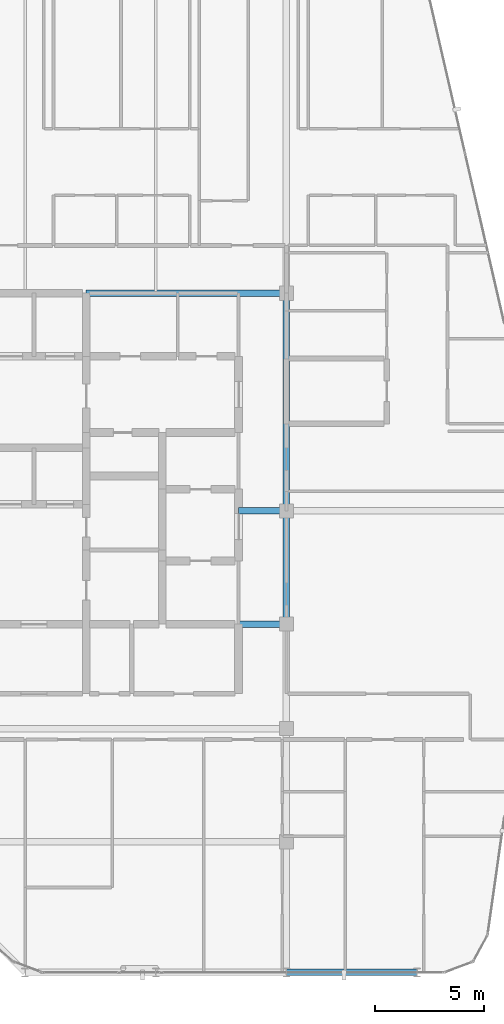
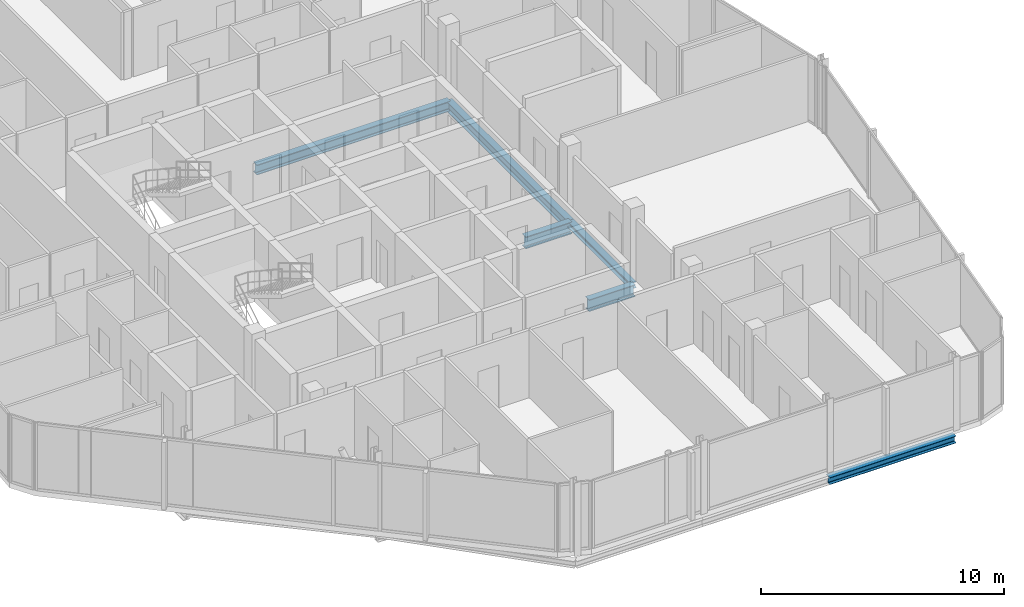
# One storey, part 11 of 28: 6 beams.
"""IFC4 building model written with IfcOpenShell, lengths in metres."""

import ifcopenshell
import ifcopenshell.guid

model = None  # the IFC model being written
_history = None  # IfcOwnerHistory: only IFC2X3 demands one
_inside = {}  # id of a spatial element -> (the spatial element, [elements in it])
_under = {}  # id of a project, library or spatial element -> (it, [spatial elements below it])
_declared = {}  # id of a project -> (the project, [libraries it declares])
_typed = {}  # id of a type object -> (the type object, [elements of that type])
_made_of = {}  # id of a material, layer set ... -> (it, [elements and type objects made of it])


def new_model(schema):
    """Start an empty IFC model of exactly this schema.

    Asked for "IFC4X3", IfcOpenShell would pick the latest addendum, in which some entities
    have other attributes; the version numbers below select the first issue.
    IFC2X3 requires an IfcOwnerHistory on every rooted entity: one is made here for all.
    """
    global model, _history
    if schema == "IFC4X3":
        model = ifcopenshell.file(schema_version=(4, 3, 0, 0))
    else:
        model = ifcopenshell.file(schema=schema)
    _inside.clear()
    _under.clear()
    _declared.clear()
    _typed.clear()
    _made_of.clear()
    _history = None
    if model.schema == "IFC2X3":
        org = make("IfcOrganization", Name="unknown")
        user = make(
            "IfcPersonAndOrganization",
            ThePerson=make("IfcPerson", FamilyName="unknown"),
            TheOrganization=org,
        )
        app = make(
            "IfcApplication",
            ApplicationDeveloper=org,
            Version="unknown",
            ApplicationFullName="unknown",
            ApplicationIdentifier="unknown",
        )
        _history = make(
            "IfcOwnerHistory",
            OwningUser=user,
            OwningApplication=app,
            ChangeAction="ADDED",
            CreationDate=0,
        )
    return model


def make(cls, **values):
    """One entity of the class cls with the attributes given. An attribute that is None is left unset."""
    return model.create_entity(
        cls, **{name: value for name, value in values.items() if value is not None}
    )


def rooted(cls, **values):
    """An entity with a GlobalId (a new one), such as an element, a storey or a relation."""
    return make(cls, GlobalId=ifcopenshell.guid.new(), OwnerHistory=_history, **values)


def si_unit(unit_type, name, prefix=None):
    """IfcSIUnit, for example si_unit("LENGTHUNIT", "METRE", prefix="MILLI")."""
    return make("IfcSIUnit", UnitType=unit_type, Prefix=prefix, Name=name)


def assignment(units):
    """IfcUnitAssignment: the units of a project."""
    return None if units is None else make("IfcUnitAssignment", Units=units)


def point(xyz):
    """IfcCartesianPoint."""
    return None if xyz is None else make("IfcCartesianPoint", Coordinates=xyz)


def direction(xyz):
    """IfcDirection."""
    return None if xyz is None else make("IfcDirection", DirectionRatios=xyz)


def frame(location, z_axis=None, x_axis=None):
    """IfcAxis2Placement3D, a coordinate frame: its origin and axes. An axis left out is left unset."""
    return make(
        "IfcAxis2Placement3D",
        Location=point(location),
        Axis=direction(z_axis),
        RefDirection=direction(x_axis),
    )


def frame_2d(location, x_axis=None):
    """IfcAxis2Placement2D, a coordinate frame in the plane: its origin and x axis."""
    return make(
        "IfcAxis2Placement2D", Location=point(location), RefDirection=direction(x_axis)
    )


def origin():
    """The frame at (0, 0, 0) with its axes left unset."""
    return frame((0.0, 0.0, 0.0))


def origin_2d():
    """The frame at (0, 0) in the plane with its x axis left unset."""
    return frame_2d((0.0, 0.0))


def place(relative_to, where):
    """IfcLocalPlacement: puts the frame where relative to a parent placement (None: the world)."""
    return make(
        "IfcLocalPlacement", PlacementRelTo=relative_to, RelativePlacement=where
    )


def context(
    kind, dimensions, precision=None, world=None, true_north=None, identifier=None
):
    """IfcGeometricRepresentationContext, for example the 3D "Model" context."""
    return make(
        "IfcGeometricRepresentationContext",
        ContextIdentifier=identifier,
        ContextType=kind,
        CoordinateSpaceDimension=dimensions,
        Precision=precision,
        WorldCoordinateSystem=world,
        TrueNorth=true_north,
    )


def subcontext(parent, identifier, kind, view, scale=None):
    """IfcGeometricRepresentationSubContext, for example "Body" below "Model"."""
    return make(
        "IfcGeometricRepresentationSubContext",
        ContextIdentifier=identifier,
        ContextType=kind,
        ParentContext=parent,
        TargetScale=scale,
        TargetView=view,
    )


def project(units=None, contexts=None):
    """IfcProject with its units and contexts."""
    return rooted(
        "IfcProject",
        Name="project",
        RepresentationContexts=contexts,
        UnitsInContext=assignment(units),
    )


def spatial(cls, under=None, at=None, **own):
    """A site, building, storey or space (cls), placed at a placement, below another one or the project."""
    s = rooted(cls, ObjectPlacement=at, **own)
    if under is not None:
        _under.setdefault(under.id(), (under, []))[1].append(s)
    return s


def profile(cls, at=None, kind="AREA", **sizes):
    """A parametric profile (cls). Its sizes go by their IFC names, for example OverallWidth=200.0."""
    return make(cls, ProfileType=kind, Position=at, **sizes)


def i_section(**sizes):
    """IfcIShapeProfileDef."""
    return profile("IfcIShapeProfileDef", **sizes)


def extrude(swept, where, along, depth):
    """IfcExtrudedAreaSolid: the profile swept, set in the frame where, extruded along a direction by depth."""
    return make(
        "IfcExtrudedAreaSolid",
        SweptArea=swept,
        Position=where,
        ExtrudedDirection=direction(along),
        Depth=depth,
    )


def shape(context_of_items, identifier, shape_type, items):
    """IfcShapeRepresentation: the items that make up one representation, for example the "Body"."""
    return make(
        "IfcShapeRepresentation",
        ContextOfItems=context_of_items,
        RepresentationIdentifier=identifier,
        RepresentationType=shape_type,
        Items=items,
    )


def material(Name=None, Category=None):
    """IfcMaterial."""
    return make("IfcMaterial", Name=Name, Category=Category)


def material_profile(
    of_material, cross_section, Name=None, Category=None, Priority=None
):
    """IfcMaterialProfile: a cross section and its material."""
    return make(
        "IfcMaterialProfile",
        Name=Name,
        Material=of_material,
        Profile=cross_section,
        Priority=Priority,
        Category=Category,
    )


def profile_set(profiles, Name=None, composite=None):
    """IfcMaterialProfileSet."""
    return make(
        "IfcMaterialProfileSet",
        Name=Name,
        MaterialProfiles=profiles,
        CompositeProfile=composite,
    )


def made_of(thing, what):
    """Note that an element or type object is made of a material, layer set ...; save() writes the relation."""
    if what is not None:
        _made_of.setdefault(what.id(), (what, []))[1].append(thing)
    return thing


def type_object(cls, material=None, **own):
    """A type object (cls), such as IfcWallType, which elements share."""
    return made_of(rooted(cls, **own), material)


def element(
    cls,
    number,
    at=None,
    inside=None,
    cuts=None,
    type_object=None,
    material=None,
    context=None,
    identifier="Body",
    shape_type=None,
    held_by="IfcProductDefinitionShape",
    body=None,
    shapes=None,
    **own,
):
    """One element of the class cls, such as IfcWall. Its Tag is "e" and its number.

    at: its placement. inside: the storey or other place that contains it. cuts: it is an
    opening in that element (IfcRelVoidsElement). A single representation is given by context,
    identifier, shape_type and body (its items); several are given by shapes. held_by: the class
    of the entity that holds the representations. save() writes the other relations.
    """
    e = rooted(cls, Tag="e%d" % number, ObjectPlacement=at, **own)
    if body is not None:
        shapes = [shape(context, identifier, shape_type, body)]
    if shapes is not None:
        e.Representation = make(held_by, Representations=shapes)
    if inside is not None:
        _inside.setdefault(inside.id(), (inside, []))[1].append(e)
    if cuts is not None:
        rooted(
            "IfcRelVoidsElement", RelatingBuildingElement=cuts, RelatedOpeningElement=e
        )
    if type_object is not None:
        _typed.setdefault(type_object.id(), (type_object, []))[1].append(e)
    return made_of(e, material)


def aggregate(whole, parts):
    """IfcRelAggregates: a whole, such as a stair, and the parts it consists of."""
    return rooted("IfcRelAggregates", RelatingObject=whole, RelatedObjects=parts)


def save(model, path):
    """Write the relations noted so far, then the file.

    IfcRelAggregates (storeys below a building ...), IfcRelContainedInSpatialStructure (elements
    in a storey), IfcRelDefinesByType, IfcRelAssociatesMaterial and IfcRelDeclares: one each for
    every whole, place, type object, material and project.
    """
    for whole, parts in _under.values():
        aggregate(whole, parts)
    for where, things in _inside.values():
        rooted(
            "IfcRelContainedInSpatialStructure",
            RelatedElements=things,
            RelatingStructure=where,
        )
    for kind, things in _typed.values():
        rooted("IfcRelDefinesByType", RelatedObjects=things, RelatingType=kind)
    for what, things in _made_of.values():
        rooted("IfcRelAssociatesMaterial", RelatedObjects=things, RelatingMaterial=what)
    for by, libraries in _declared.values():
        rooted("IfcRelDeclares", RelatingContext=by, RelatedDefinitions=libraries)
    model.write(path)


model = new_model("IFC4")

# Units and contexts
model_context = context("Model", 3, precision=1e-05, world=origin(), true_north=direction((0.0, 1.0)))
body_context = subcontext(model_context, "Body", "Model", "MODEL_VIEW")
ifc_project = project(units=[si_unit("LENGTHUNIT", "METRE"), si_unit("AREAUNIT", "SQUARE_METRE"), si_unit("VOLUMEUNIT", "CUBIC_METRE"), si_unit("PLANEANGLEUNIT", "RADIAN"), si_unit("MASSUNIT", "GRAM", prefix="KILO")], contexts=[model_context])

# Site, building, storey
site_placement = place(None, origin())
site = spatial("IfcSite", under=ifc_project, at=site_placement, CompositionType="ELEMENT")
building_placement = place(site_placement, origin())
building = spatial("IfcBuilding", under=site, at=building_placement, Name="Keshet Zoharim Tower", CompositionType="ELEMENT")
storey_placement = place(building_placement, frame((0.0, 0.0, 303.60009765625)))
storey = spatial("IfcBuildingStorey", under=building, at=storey_placement, Name="L76", CompositionType="ELEMENT", Elevation=303.60009765625)

# Beams
ifc_material = material(Name="Steel S355", Category="steel")
ifc_material_profile_1 = material_profile(ifc_material, i_section(OverallWidth=0.300048828125, OverallDepth=0.60009765625, WebThickness=0.015380859375, FlangeThickness=0.030029296875, FilletRadius=0.027099609375, at=origin_2d()), Name="HEB600")
ifc_profile_set_1 = profile_set([ifc_material_profile_1], Name="Steel S355")
beam_type_1 = type_object("IfcBeamType", Name="BM-CLK-HB600", PredefinedType="BEAM", material=ifc_profile_set_1)
for number, where, z_axis, x_axis, name in (
    (1, (30.800048828125, 22.699951171875, -0.610107421875), (1.0, 0.0, 0.0), (0.0, 1.0, 0.0), "L76 Core Wall Link Girder 01"),
    (2, (30.800048828125, 27.89990234375, -0.610107421875), (1.0, 0.0, 0.0), (0.0, 1.0, 0.0), "L76 Core Wall Link Girder 02"),
):
    element("IfcBeam", number, at=place(storey_placement, frame(where, z_axis=z_axis, x_axis=x_axis)), inside=storey, type_object=beam_type_1, Name=name, PredefinedType="BEAM", context=body_context, shape_type="SweptSolid", body=[
        extrude(i_section(OverallWidth=0.300048828125, OverallDepth=0.60009765625, WebThickness=0.015380859375, FlangeThickness=0.030029296875, FilletRadius=0.027099609375, at=origin_2d()), origin(), (0.0, 0.0, 1.0), 2.199951171875),
    ])
ifc_material_profile_2 = material_profile(ifc_material, i_section(OverallWidth=0.300048828125, OverallDepth=0.5, WebThickness=0.014404296875, FlangeThickness=0.028076171875, FilletRadius=0.027099609375, at=origin_2d()), Name="HEB500")
ifc_profile_set_2 = profile_set([ifc_material_profile_2], Name="Steel S355")
beam_type_2 = type_object("IfcBeamType", Name="BM-MED-HB500", PredefinedType="BEAM", material=ifc_profile_set_2)
beam_1_placement = place(storey_placement, frame((23.800048828125, 37.89990234375, -0.56005859375), z_axis=(1.0, 0.0, 0.0), x_axis=(0.0, 1.0, 0.0)))
element("IfcBeam", 3, at=beam_1_placement, inside=storey, type_object=beam_type_2, Name="L76 Primary Girder X-009", PredefinedType="BEAM", context=body_context, shape_type="SweptSolid", body=[
    extrude(i_section(OverallWidth=0.300048828125, OverallDepth=0.5, WebThickness=0.014404296875, FlangeThickness=0.028076171875, FilletRadius=0.027099609375, at=origin_2d()), origin(), (0.0, 0.0, 1.0), 9.199951171875),
])
beam_2_placement = place(storey_placement, frame((33.0, 27.89990234375, -0.56005859375), z_axis=(0.0, 1.0, 0.0), x_axis=(-1.0, 0.0, 0.0)))
element("IfcBeam", 4, at=beam_2_placement, inside=storey, type_object=beam_type_2, Name="L76 Primary Girder Y-008", PredefinedType="BEAM", context=body_context, shape_type="SweptSolid", body=[
    extrude(i_section(OverallWidth=0.300048828125, OverallDepth=0.5, WebThickness=0.014404296875, FlangeThickness=0.028076171875, FilletRadius=0.027099609375, at=origin_2d()), origin(), (0.0, 0.0, 1.0), 10.0),
])
ifc_material_profile_3 = material_profile(ifc_material, i_section(OverallWidth=0.300048828125, OverallDepth=0.2900390625, WebThickness=0.008544921875, FlangeThickness=0.013916015625, FilletRadius=0.027099609375, at=origin_2d()), Name="HEA300")
ifc_profile_set_3 = profile_set([ifc_material_profile_3], Name="Steel S355")
beam_type_3 = type_object("IfcBeamType", Name="BM-PRI-HA300", PredefinedType="BEAM", material=ifc_profile_set_3)
beam_3_placement = place(storey_placement, frame((33.0, 22.699951171875, -0.455078125), z_axis=(0.0, 1.0, 0.0), x_axis=(-1.0, 0.0, 0.0)))
element("IfcBeam", 5, at=beam_3_placement, inside=storey, type_object=beam_type_3, Name="L76 Primary Girder Y-007", PredefinedType="BEAM", context=body_context, shape_type="SweptSolid", body=[
    extrude(i_section(OverallWidth=0.300048828125, OverallDepth=0.2900390625, WebThickness=0.008544921875, FlangeThickness=0.013916015625, FilletRadius=0.027099609375, at=origin_2d()), origin(), (0.0, 0.0, 1.0), 5.199951171875),
])
ifc_material_profile_4 = material_profile(ifc_material, i_section(OverallWidth=0.300048828125, OverallDepth=0.35009765625, WebThickness=0.010009765625, FlangeThickness=0.017578125, FilletRadius=0.027099609375, at=origin_2d()), Name="HEA360")
ifc_profile_set_4 = profile_set([ifc_material_profile_4], Name="Steel S355")
beam_type_4 = type_object("IfcBeamType", Name="BM-PRI-HA360", PredefinedType="BEAM", material=ifc_profile_set_4)
beam_4_placement = place(storey_placement, frame((33.0, 6.699951171875, -0.485107421875), z_axis=(1.0, 0.0, 0.0), x_axis=(0.0, 1.0, 0.0)))
element("IfcBeam", 6, at=beam_4_placement, inside=storey, type_object=beam_type_4, Name="L76 Primary Girder X-003", PredefinedType="BEAM", context=body_context, shape_type="SweptSolid", body=[
    extrude(i_section(OverallWidth=0.300048828125, OverallDepth=0.35009765625, WebThickness=0.010009765625, FlangeThickness=0.017578125, FilletRadius=0.027099609375, at=origin_2d()), origin(), (0.0, 0.0, 1.0), 6.0),
])

save(model, "model.ifc")
